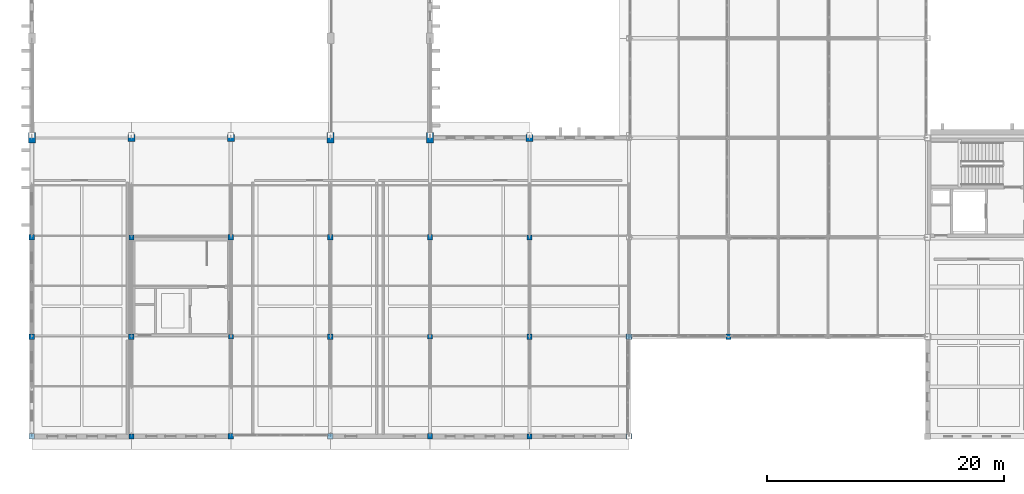
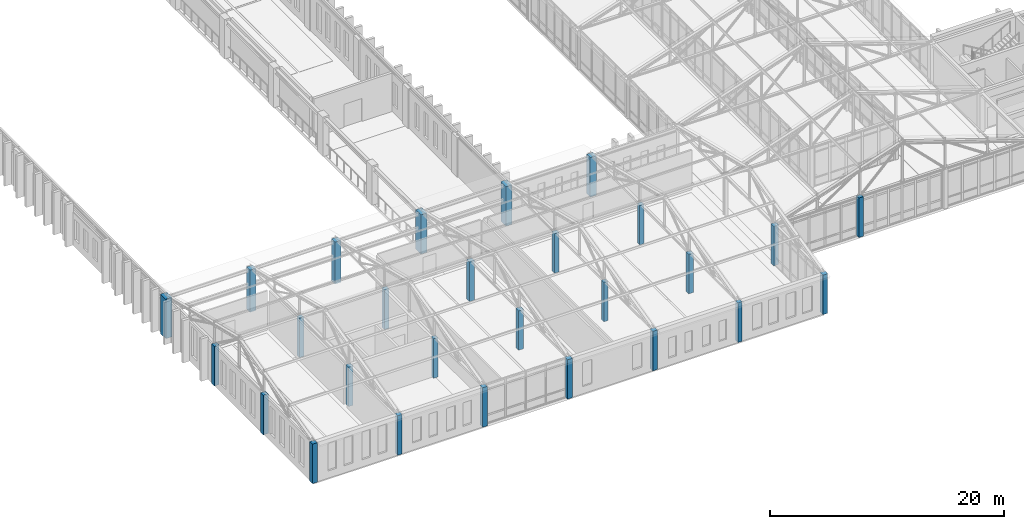
# One storey, part 1 of 192: 27 columns.
"""IFC4 building model written with IfcOpenShell, lengths in metres."""

from ifc_helpers import new_model, si_unit, direction, frame, origin, origin_2d, place, context, subcontext, project, spatial, rectangle, extrude, material, material_profile, profile_set, type_object, element, save


model = new_model("IFC4")

# Units and contexts
model_context = context("Model", 3, precision=1e-05, world=origin(), true_north=direction((0.0, 1.0)))
body_context = subcontext(model_context, "Body", "Model", "MODEL_VIEW")
ifc_project = project(units=[si_unit("LENGTHUNIT", "METRE"), si_unit("AREAUNIT", "SQUARE_METRE"), si_unit("VOLUMEUNIT", "CUBIC_METRE"), si_unit("PLANEANGLEUNIT", "RADIAN"), si_unit("MASSUNIT", "GRAM", prefix="KILO")], contexts=[model_context])

# Site, building, storey
site_placement = place(None, origin())
site = spatial("IfcSite", under=ifc_project, at=site_placement, CompositionType="ELEMENT")
building_placement = place(site_placement, origin())
building = spatial("IfcBuilding", under=site, at=building_placement, Name="Kveldsbrygga Polytechnic", CompositionType="ELEMENT")
storey_placement = place(building_placement, frame((0.0, 0.0, 5.43994140625)))
storey = spatial("IfcBuildingStorey", under=building, at=storey_placement, Name="L01", CompositionType="ELEMENT", Elevation=5.43994140625)

# Columns
ifc_material = material(Name="Concrete C45/55", Category="concrete")
ifc_material_profile_1 = material_profile(ifc_material, rectangle(XDim=0.60009765625, YDim=0.89990234375, at=origin_2d()), Name="RC 600x900")
ifc_profile_set_1 = profile_set([ifc_material_profile_1], Name="Concrete C45/55")
column_type_1 = type_object("IfcColumnType", Name="COL-CRANE-900", PredefinedType="COLUMN", material=ifc_profile_set_1)
for number, where, z_axis, x_axis, name in (
    (1, (0.0, 25.199951171875, 0.0), (0.0, 0.0, 1.0), (1.0, 0.0, 0.0), "Column COL-L01-00-03"),
    (2, (25.199951171875, 25.199951171875, 0.0), (0.0, 0.0, 1.0), (1.0, 0.0, 0.0), "Column COL-L01-03-03"),
    (3, (33.60009765625, 25.199951171875, 0.0), (0.0, 0.0, 1.0), (1.0, 0.0, 0.0), "Column COL-L01-04-03"),
):
    element("IfcColumn", number, at=place(storey_placement, frame(where, z_axis=z_axis, x_axis=x_axis)), inside=storey, type_object=column_type_1, Name=name, PredefinedType="COLUMN", context=body_context, shape_type="SweptSolid", body=[
        extrude(rectangle(XDim=0.60009765625, YDim=0.89990234375, at=origin_2d()), origin(), (0.0, 0.0, 1.0), 4.1201171875),
    ])
ifc_material_profile_2 = material_profile(ifc_material, rectangle(XDim=0.39990234375, YDim=0.39990234375, at=origin_2d()), Name="RC 400x400")
ifc_profile_set_2 = profile_set([ifc_material_profile_2], Name="Concrete C45/55")
column_type_2 = type_object("IfcColumnType", Name="COL-RC-400", PredefinedType="COLUMN", material=ifc_profile_set_2)
for number, where, z_axis, x_axis, name in (
    (4, (16.800048828125, 8.39990234375, 0.0), (0.0, 0.0, 1.0), (1.0, 0.0, 0.0), "Column COL-L01-02-01"),
    (5, (33.60009765625, 8.39990234375, 0.0), (0.0, 0.0, 1.0), (1.0, 0.0, 0.0), "Column COL-L01-04-01"),
):
    element("IfcColumn", number, at=place(storey_placement, frame(where, z_axis=z_axis, x_axis=x_axis)), inside=storey, type_object=column_type_2, Name=name, PredefinedType="COLUMN", context=body_context, shape_type="SweptSolid", body=[
        extrude(rectangle(XDim=0.39990234375, YDim=0.39990234375, at=origin_2d()), origin(), (0.0, 0.0, 1.0), 4.1201171875),
    ])
ifc_material_profile_3 = material_profile(ifc_material, rectangle(XDim=0.419921875, YDim=0.419921875, at=origin_2d()), Name="RC 420x420")
ifc_profile_set_3 = profile_set([ifc_material_profile_3], Name="Concrete C45/55")
column_type_3 = type_object("IfcColumnType", Name="COL-RC-420", PredefinedType="COLUMN", material=ifc_profile_set_3)
for number, where, z_axis, x_axis, name in (
    (6, (8.39990234375, 0.0, 0.0), (0.0, 0.0, 1.0), (1.0, 0.0, 0.0), "Column COL-L01-01-00"),
    (7, (8.39990234375, 16.800048828125, 0.0), (0.0, 0.0, 1.0), (1.0, 0.0, 0.0), "Column COL-L01-01-02"),
    (8, (42.0, 0.0, 0.0), (0.0, 0.0, 1.0), (1.0, 0.0, 0.0), "Column COL-L01-05-00"),
    (9, (42.0, 16.800048828125, 0.0), (0.0, 0.0, 1.0), (1.0, 0.0, 0.0), "Column COL-L01-05-02"),
):
    element("IfcColumn", number, at=place(storey_placement, frame(where, z_axis=z_axis, x_axis=x_axis)), inside=storey, type_object=column_type_3, Name=name, PredefinedType="COLUMN", context=body_context, shape_type="SweptSolid", body=[
        extrude(rectangle(XDim=0.419921875, YDim=0.419921875, at=origin_2d()), origin(), (0.0, 0.0, 1.0), 4.1201171875),
    ])
ifc_material_profile_4 = material_profile(ifc_material, rectangle(XDim=0.449951171875, YDim=0.449951171875, at=origin_2d()), Name="RC 450x450")
ifc_profile_set_4 = profile_set([ifc_material_profile_4], Name="Concrete C45/55")
column_type_4 = type_object("IfcColumnType", Name="COL-RC-450", PredefinedType="COLUMN", material=ifc_profile_set_4)
for number, where, z_axis, x_axis, name in (
    (10, (8.39990234375, 8.39990234375, 0.0), (0.0, 0.0, 1.0), (1.0, 0.0, 0.0), "Column COL-L01-01-01"),
    (11, (16.800048828125, 0.0, 0.0), (0.0, 0.0, 1.0), (1.0, 0.0, 0.0), "Column COL-L01-02-00"),
    (12, (16.800048828125, 16.800048828125, 0.0), (0.0, 0.0, 1.0), (1.0, 0.0, 0.0), "Column COL-L01-02-02"),
    (13, (33.60009765625, 0.0, 0.0), (0.0, 0.0, 1.0), (1.0, 0.0, 0.0), "Column COL-L01-04-00"),
    (14, (33.60009765625, 16.800048828125, 0.0), (0.0, 0.0, 1.0), (1.0, 0.0, 0.0), "Column COL-L01-04-02"),
    (15, (42.0, 8.39990234375, 0.0), (0.0, 0.0, 1.0), (1.0, 0.0, 0.0), "Column COL-L01-05-01"),
    (16, (58.800048828125, 8.39990234375, 0.0), (0.0, 0.0, 1.0), (1.0, 0.0, 0.0), "Column COL-L01-07-01"),
):
    element("IfcColumn", number, at=place(storey_placement, frame(where, z_axis=z_axis, x_axis=x_axis)), inside=storey, type_object=column_type_4, Name=name, PredefinedType="COLUMN", context=body_context, shape_type="SweptSolid", body=[
        extrude(rectangle(XDim=0.449951171875, YDim=0.449951171875, at=origin_2d()), origin(), (0.0, 0.0, 1.0), 4.1201171875),
    ])
ifc_material_profile_5 = material_profile(ifc_material, rectangle(XDim=0.47998046875, YDim=0.47998046875, at=origin_2d()), Name="RC 480x480")
ifc_profile_set_5 = profile_set([ifc_material_profile_5], Name="Concrete C45/55")
column_type_5 = type_object("IfcColumnType", Name="COL-RC-480", PredefinedType="COLUMN", material=ifc_profile_set_5)
for number, where, z_axis, x_axis, name in (
    (17, (0.0, 0.0, 0.0), (0.0, 0.0, 1.0), (1.0, 0.0, 0.0), "Column COL-L01-00-00"),
    (18, (0.0, 8.39990234375, 0.0), (0.0, 0.0, 1.0), (1.0, 0.0, 0.0), "Column COL-L01-00-01"),
    (19, (0.0, 16.800048828125, 0.0), (0.0, 0.0, 1.0), (1.0, 0.0, 0.0), "Column COL-L01-00-02"),
    (20, (25.199951171875, 0.0, 0.0), (0.0, 0.0, 1.0), (1.0, 0.0, 0.0), "Column COL-L01-03-00"),
    (21, (25.199951171875, 8.39990234375, 0.0), (0.0, 0.0, 1.0), (1.0, 0.0, 0.0), "Column COL-L01-03-01"),
    (22, (25.199951171875, 16.800048828125, 0.0), (0.0, 0.0, 1.0), (1.0, 0.0, 0.0), "Column COL-L01-03-02"),
    (23, (50.39990234375, 0.0, 0.0), (0.0, 0.0, 1.0), (1.0, 0.0, 0.0), "Column COL-L01-06-00"),
    (24, (50.39990234375, 8.39990234375, 0.0), (0.0, 0.0, 1.0), (1.0, 0.0, 0.0), "Column COL-L01-06-01"),
):
    element("IfcColumn", number, at=place(storey_placement, frame(where, z_axis=z_axis, x_axis=x_axis)), inside=storey, type_object=column_type_5, Name=name, PredefinedType="COLUMN", context=body_context, shape_type="SweptSolid", body=[
        extrude(rectangle(XDim=0.47998046875, YDim=0.47998046875, at=origin_2d()), origin(), (0.0, 0.0, 1.0), 4.1201171875),
    ])
ifc_material_profile_6 = material_profile(ifc_material, rectangle(XDim=0.60009765625, YDim=0.60009765625, at=origin_2d()), Name="RC 600x600")
ifc_profile_set_6 = profile_set([ifc_material_profile_6], Name="Concrete C45/55")
column_type_6 = type_object("IfcColumnType", Name="COL-RC-600", PredefinedType="COLUMN", material=ifc_profile_set_6)
for number, where, z_axis, x_axis, name in (
    (25, (8.39990234375, 25.199951171875, -0.280029296875), (0.0, 0.0, 1.0), (1.0, 0.0, 0.0), "Column COL-L01-01-03"),
    (26, (16.800048828125, 25.199951171875, -0.280029296875), (0.0, 0.0, 1.0), (1.0, 0.0, 0.0), "Column COL-L01-02-03"),
):
    element("IfcColumn", number, at=place(storey_placement, frame(where, z_axis=z_axis, x_axis=x_axis)), inside=storey, type_object=column_type_6, Name=name, PredefinedType="COLUMN", context=body_context, shape_type="SweptSolid", body=[
        extrude(rectangle(XDim=0.60009765625, YDim=0.60009765625, at=origin_2d()), origin(), (0.0, 0.0, 1.0), 4.400146484375),
    ])
column_placement = place(storey_placement, frame((42.0, 25.199951171875, 0.0), z_axis=(0.0, 0.0, 1.0), x_axis=(1.0, 0.0, 0.0)))
element("IfcColumn", 27, at=column_placement, inside=storey, type_object=column_type_6, Name="Column COL-L01-05-03", PredefinedType="COLUMN", context=body_context, shape_type="SweptSolid", body=[
    extrude(rectangle(XDim=0.60009765625, YDim=0.60009765625, at=origin_2d()), origin(), (0.0, 0.0, 1.0), 4.1201171875),
])

save(model, "model.ifc")
